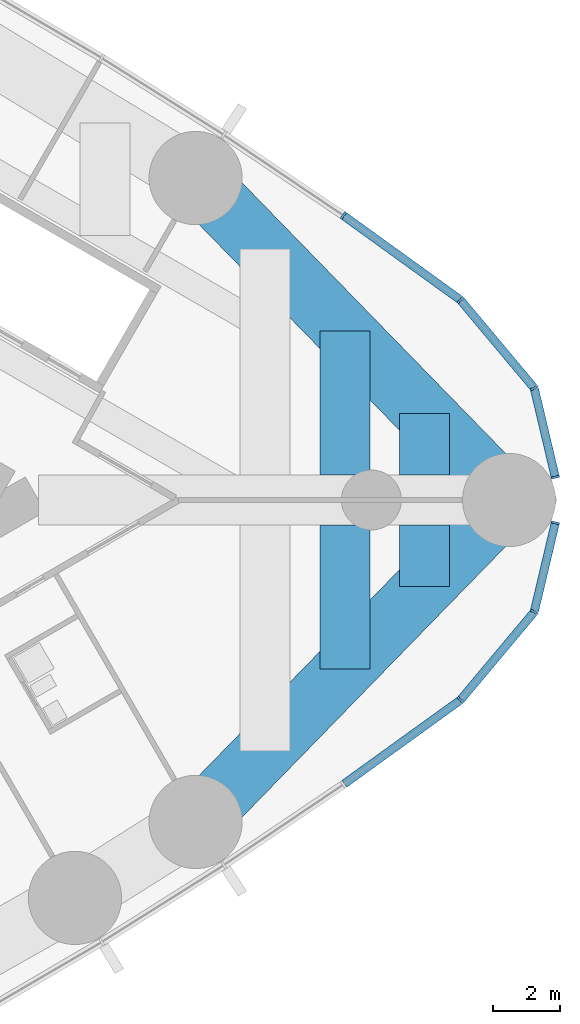
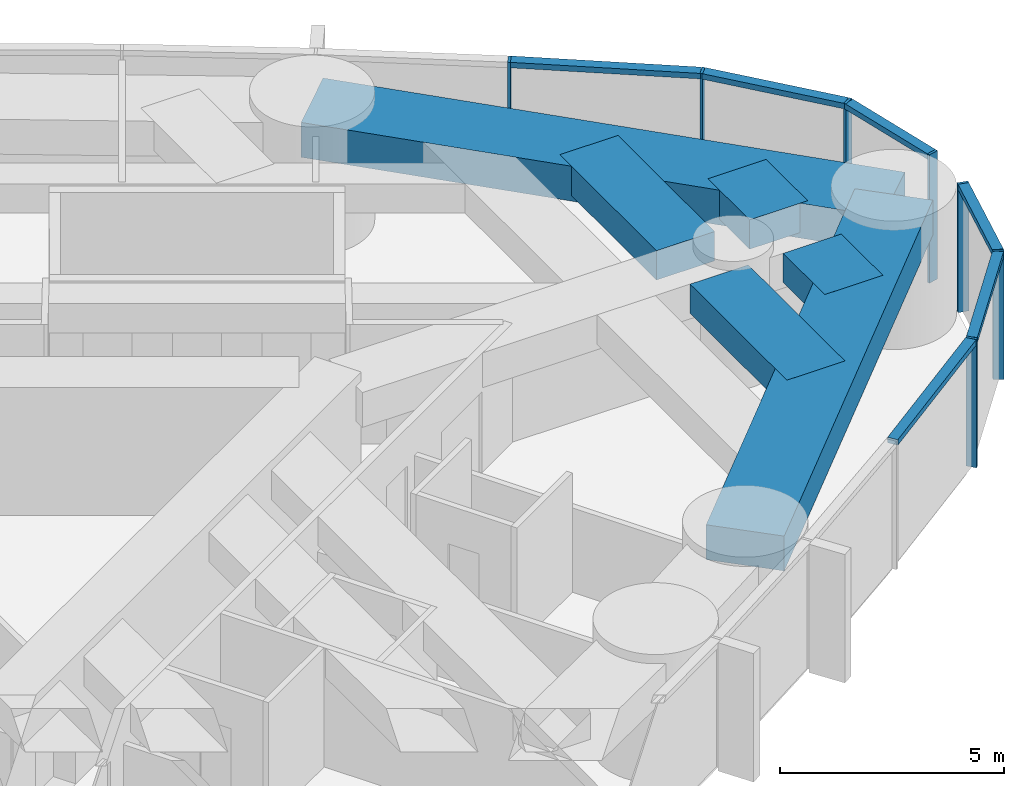
# One storey, part 9 of 19: 13 members, 6 beams, 2 elements without a shape of their own.
"""IFC4 building model written with IfcOpenShell, lengths in metres."""

from ifc_helpers import new_model, si_unit, direction, frame, origin, origin_2d, place, context, subcontext, project, spatial, rectangle, extrude, material, material_profile, profile_set, type_object, element, aggregate, save


model = new_model("IFC4")

# Units and contexts
model_context = context("Model", 3, precision=1e-05, world=origin(), true_north=direction((0.0, 1.0)))
body_context = subcontext(model_context, "Body", "Model", "MODEL_VIEW")
ifc_project = project(units=[si_unit("LENGTHUNIT", "METRE"), si_unit("AREAUNIT", "SQUARE_METRE"), si_unit("VOLUMEUNIT", "CUBIC_METRE"), si_unit("PLANEANGLEUNIT", "RADIAN"), si_unit("MASSUNIT", "GRAM", prefix="KILO")], contexts=[model_context])

# Site, building, storey
site_placement = place(None, origin())
site = spatial("IfcSite", under=ifc_project, at=site_placement, CompositionType="ELEMENT")
building_placement = place(site_placement, origin())
building = spatial("IfcBuilding", under=site, at=building_placement, Name="Lancet Gate Hotel", CompositionType="ELEMENT")
storey_placement = place(building_placement, frame((0.0, 0.0, 194.800048828125)))
storey = spatial("IfcBuildingStorey", under=building, at=storey_placement, Name="L52", CompositionType="ELEMENT", Elevation=194.800048828125)

# Curtain wall, members
ifc_material_1 = material(Name="Aluminium curtain wall", Category="aluminium")
curtain_wall_type = type_object("IfcCurtainWallType", Name="Tower unitised curtain wall", PredefinedType="USERDEFINED", material=ifc_material_1)
curtain_wall_1_placement = place(storey_placement, origin())
curtain_wall_1 = element("IfcCurtainWall", 1, at=curtain_wall_1_placement, inside=storey, type_object=curtain_wall_type, Name="T2 L52 curtain wall 2", ObjectType="UNITISED CURTAIN WALL", PredefinedType="USERDEFINED")
ifc_material_2 = material(Name="Aluminium mullion", Category="aluminium")
ifc_material_profile_1 = material_profile(ifc_material_2, rectangle(XDim=0.06494140625, YDim=0.25, at=origin_2d()), Name="MULLION 65x250")
ifc_profile_set_1 = profile_set([ifc_material_profile_1], Name="Aluminium mullion")
member_type_1 = type_object("IfcMemberType", Name="Aluminium mullion 65x250", PredefinedType="MULLION", material=ifc_profile_set_1)
member_1_placement = place(storey_placement, frame((64.174560546875, -6.01123046875, 0.0), z_axis=(0.0, 0.0, 1.0), x_axis=(0.741693452951, 0.670739011725, 0.0)))
member_1 = element("IfcMember", 2, at=member_1_placement, type_object=member_type_1, Name="T2 L52 curtain wall 2 mullion 10", PredefinedType="MULLION", context=body_context, shape_type="SweptSolid", body=[
    extrude(rectangle(XDim=0.06494140625, YDim=0.25, at=origin_2d()), origin(), (0.0, 0.0, 1.0), 3.5),
])
member_2_placement = place(storey_placement, frame((66.3935546875, -3.362548828125, 0.0), z_axis=(0.0, 0.0, 1.0), x_axis=(0.472146326362, 0.881520190638, 0.0)))
member_2 = element("IfcMember", 3, at=member_2_placement, type_object=member_type_1, Name="T2 L52 curtain wall 2 mullion 11", PredefinedType="MULLION", context=body_context, shape_type="SweptSolid", body=[
    extrude(rectangle(XDim=0.06494140625, YDim=0.25, at=origin_2d()), origin(), (0.0, 0.0, 1.0), 3.5),
])
member_3_placement = place(storey_placement, frame((67.027587890625, -0.684326171875, 0.0), z_axis=(0.0, 0.0, 1.0), x_axis=(0.230366568544, 0.973103922558, 0.0)))
member_3 = element("IfcMember", 4, at=member_3_placement, type_object=member_type_1, Name="T2 L52 curtain wall 2 mullion 12", PredefinedType="MULLION", context=body_context, shape_type="SweptSolid", body=[
    extrude(rectangle(XDim=0.06494140625, YDim=0.25, at=origin_2d()), origin(), (0.0, 0.0, 1.0), 3.5),
])

curtain_wall_2_placement = place(storey_placement, origin())
curtain_wall_2 = element("IfcCurtainWall", 5, at=curtain_wall_2_placement, inside=storey, type_object=curtain_wall_type, Name="T2 L52 curtain wall 3", ObjectType="UNITISED CURTAIN WALL", PredefinedType="USERDEFINED")
member_4_placement = place(storey_placement, frame((67.027587890625, 0.684326171875, 0.0), z_axis=(0.0, 0.0, 1.0), x_axis=(-0.230366568544, 0.973103922558, 0.0)))
member_4 = element("IfcMember", 6, at=member_4_placement, type_object=member_type_1, Name="T2 L52 curtain wall 3 mullion 1", PredefinedType="MULLION", context=body_context, shape_type="SweptSolid", body=[
    extrude(rectangle(XDim=0.06494140625, YDim=0.25, at=origin_2d()), origin(), (0.0, 0.0, 1.0), 3.5),
])
member_5_placement = place(storey_placement, frame((66.3935546875, 3.362548828125, 0.0), z_axis=(0.0, 0.0, 1.0), x_axis=(-0.472146326362, 0.881520190638, 0.0)))
member_5 = element("IfcMember", 7, at=member_5_placement, type_object=member_type_1, Name="T2 L52 curtain wall 3 mullion 2", PredefinedType="MULLION", context=body_context, shape_type="SweptSolid", body=[
    extrude(rectangle(XDim=0.06494140625, YDim=0.25, at=origin_2d()), origin(), (0.0, 0.0, 1.0), 3.5),
])
member_6_placement = place(storey_placement, frame((64.174560546875, 6.01123046875, 0.0), z_axis=(0.0, 0.0, 1.0), x_axis=(-0.741693452951, 0.670739011725, 0.0)))
member_6 = element("IfcMember", 8, at=member_6_placement, type_object=member_type_1, Name="T2 L52 curtain wall 3 mullion 3", PredefinedType="MULLION", context=body_context, shape_type="SweptSolid", body=[
    extrude(rectangle(XDim=0.06494140625, YDim=0.25, at=origin_2d()), origin(), (0.0, 0.0, 1.0), 3.5),
])
member_7_placement = place(storey_placement, frame((60.66015625, 8.547607421875, 0.0), z_axis=(0.0, 0.0, 1.0), x_axis=(-0.820068208435, 0.572265789222, 0.0)))
member_7 = element("IfcMember", 9, at=member_7_placement, type_object=member_type_1, Name="T2 L52 curtain wall 3 mullion 4", PredefinedType="MULLION", context=body_context, shape_type="SweptSolid", body=[
    extrude(rectangle(XDim=0.06494140625, YDim=0.25, at=origin_2d()), origin(), (0.0, 0.0, 1.0), 3.5),
])

# Member
ifc_material_3 = material(Name="Aluminium transom", Category="aluminium")
ifc_material_profile_2 = material_profile(ifc_material_3, rectangle(XDim=0.25, YDim=0.14990234375, at=origin_2d()), Name="TRANSOM 250x150")
ifc_profile_set_2 = profile_set([ifc_material_profile_2], Name="Aluminium transom")
member_type_2 = type_object("IfcMemberType", Name="Aluminium transom 250x150", PredefinedType="USERDEFINED", material=ifc_profile_set_2)
member_8_placement = place(storey_placement, frame((60.6865234375, -8.528564453125, 3.425048828125), z_axis=(0.810879747578, 0.585212811691, 0.0), x_axis=(-0.585212811691, 0.810879747578, 0.0)))
member_8 = element("IfcMember", 10, at=member_8_placement, type_object=member_type_2, Name="T2 L52 curtain wall 2 transom 9", ObjectType="TRANSOM", PredefinedType="USERDEFINED", context=body_context, shape_type="SweptSolid", body=[
    extrude(rectangle(XDim=0.25, YDim=0.14990234375, at=origin_2d()), origin(), (0.0, 0.0, 1.0), 4.26904296875),
])

member_9_placement = place(storey_placement, frame((64.1953125, -5.986328125, 3.425048828125), z_axis=(0.642229010215, 0.766512816878, 0.0), x_axis=(-0.766512816878, 0.642229010215, 0.0)))
member_9 = element("IfcMember", 11, at=member_9_placement, type_object=member_type_2, Name="T2 L52 curtain wall 2 transom 10", ObjectType="TRANSOM", PredefinedType="USERDEFINED", context=body_context, shape_type="SweptSolid", body=[
    extrude(rectangle(XDim=0.25, YDim=0.14990234375, at=origin_2d()), origin(), (0.0, 0.0, 1.0), 3.390625),
])

member_10_placement = place(storey_placement, frame((66.401123046875, -3.3310546875, 3.425048828125), z_axis=(0.230310174804, 0.973117271135, 0.0), x_axis=(-0.973117271135, 0.230310174804, 0.0)))
member_10 = element("IfcMember", 12, at=member_10_placement, type_object=member_type_2, Name="T2 L52 curtain wall 2 transom 11", ObjectType="TRANSOM", PredefinedType="USERDEFINED", context=body_context, shape_type="SweptSolid", body=[
    extrude(rectangle(XDim=0.25, YDim=0.14990234375, at=origin_2d()), origin(), (0.0, 0.0, 1.0), 2.687255859375),
])

aggregate(curtain_wall_1, [member_1, member_2, member_3, member_8, member_9, member_10])

member_11_placement = place(storey_placement, frame((67.02001953125, 0.716064453125, 3.425048828125), z_axis=(-0.230310174804, 0.973117271135, 0.0), x_axis=(-0.973117271135, -0.230310174804, 0.0)))
member_11 = element("IfcMember", 13, at=member_11_placement, type_object=member_type_2, Name="T2 L52 curtain wall 3 transom 1", ObjectType="TRANSOM", PredefinedType="USERDEFINED", context=body_context, shape_type="SweptSolid", body=[
    extrude(rectangle(XDim=0.25, YDim=0.14990234375, at=origin_2d()), origin(), (0.0, 0.0, 1.0), 2.687255859375),
])

member_12_placement = place(storey_placement, frame((66.372802734375, 3.387451171875, 3.425048828125), z_axis=(-0.642229010215, 0.766512816878, 0.0), x_axis=(-0.766512816878, -0.642229010215, 0.0)))
member_12 = element("IfcMember", 14, at=member_12_placement, type_object=member_type_2, Name="T2 L52 curtain wall 3 transom 2", ObjectType="TRANSOM", PredefinedType="USERDEFINED", context=body_context, shape_type="SweptSolid", body=[
    extrude(rectangle(XDim=0.25, YDim=0.14990234375, at=origin_2d()), origin(), (0.0, 0.0, 1.0), 3.390625),
])

member_13_placement = place(storey_placement, frame((64.148193359375, 6.0302734375, 3.425048828125), z_axis=(-0.810879747578, 0.585212811691, 0.0), x_axis=(-0.585212811691, -0.810879747578, 0.0)))
member_13 = element("IfcMember", 15, at=member_13_placement, type_object=member_type_2, Name="T2 L52 curtain wall 3 transom 3", ObjectType="TRANSOM", PredefinedType="USERDEFINED", context=body_context, shape_type="SweptSolid", body=[
    extrude(rectangle(XDim=0.25, YDim=0.14990234375, at=origin_2d()), origin(), (0.0, 0.0, 1.0), 4.26904296875),
])

aggregate(curtain_wall_2, [member_4, member_5, member_6, member_7, member_11, member_12, member_13])

# Beams
ifc_material_4 = material(Name="Concrete C50/60", Category="concrete")
ifc_material_profile_3 = material_profile(ifc_material_4, rectangle(XDim=1.800048828125, YDim=0.949951171875, at=origin_2d()), Name="RC 1800x950")
ifc_profile_set_3 = profile_set([ifc_material_profile_3], Name="Concrete C50/60")
beam_type_1 = type_object("IfcBeamType", Name="Edge beam RC 1800x950", PredefinedType="SPANDREL", material=ifc_profile_set_3)
for number, where, z_axis, x_axis, name in (
    (16, (56.220947265625, -9.67236328125, 2.77490234375), (0.697649905443, 0.716438838587, 0.0), (-0.716438838587, 0.697649905443, 0.0), "T2 edge beam EB1 L52"),
    (17, (65.6396484375, 0.0, 2.77490234375), (-0.697649905443, 0.716438838587, 0.0), (-0.716438838587, -0.697649905443, 0.0), "T2 edge beam EB1 L52"),
):
    element("IfcBeam", number, at=place(storey_placement, frame(where, z_axis=z_axis, x_axis=x_axis)), inside=storey, type_object=beam_type_1, Name=name, PredefinedType="SPANDREL", context=body_context, shape_type="SweptSolid", body=[
        extrude(rectangle(XDim=1.800048828125, YDim=0.949951171875, at=origin_2d()), origin(), (0.0, 0.0, 1.0), 13.500732421875),
    ])
ifc_material_5 = material(Name="Concrete C50/60", Category="concrete")
ifc_material_profile_4 = material_profile(ifc_material_5, rectangle(XDim=1.5, YDim=0.800048828125, at=origin_2d()), Name="RC 1500x800")
ifc_profile_set_4 = profile_set([ifc_material_profile_4], Name="Concrete C50/60")
beam_type_2 = type_object("IfcBeamType", Name="Floor beam RC 1500x800", PredefinedType="BEAM", material=ifc_profile_set_4)
for number, where, z_axis, x_axis, name in (
    (18, (60.7021484375, -5.0703125, 2.849853515625), (0.0, 1.0, 0.0), (-1.0, 0.0, 0.0), "T2 floor beam F14S L52"),
    (19, (60.7021484375, 0.75, 2.849853515625), (0.0, 1.0, 0.0), (-1.0, 0.0, 0.0), "T2 floor beam F15N L52"),
):
    element("IfcBeam", number, at=place(storey_placement, frame(where, z_axis=z_axis, x_axis=x_axis)), inside=storey, type_object=beam_type_2, Name=name, PredefinedType="BEAM", context=body_context, shape_type="SweptSolid", body=[
        extrude(rectangle(XDim=1.5, YDim=0.800048828125, at=origin_2d()), origin(), (0.0, 0.0, 1.0), 4.3203125),
    ])
for number, where, z_axis, x_axis, name in (
    (20, (63.102294921875, -2.605712890625, 2.849853515625), (0.0, 1.0, 0.0), (-1.0, 0.0, 0.0), "T2 floor beam F16S L52"),
    (21, (63.102294921875, 0.75, 2.849853515625), (0.0, 1.0, 0.0), (-1.0, 0.0, 0.0), "T2 floor beam F17N L52"),
):
    element("IfcBeam", number, at=place(storey_placement, frame(where, z_axis=z_axis, x_axis=x_axis)), inside=storey, type_object=beam_type_2, Name=name, PredefinedType="BEAM", context=body_context, shape_type="SweptSolid", body=[
        extrude(rectangle(XDim=1.5, YDim=0.800048828125, at=origin_2d()), origin(), (0.0, 0.0, 1.0), 1.855712890625),
    ])

save(model, "model.ifc")
